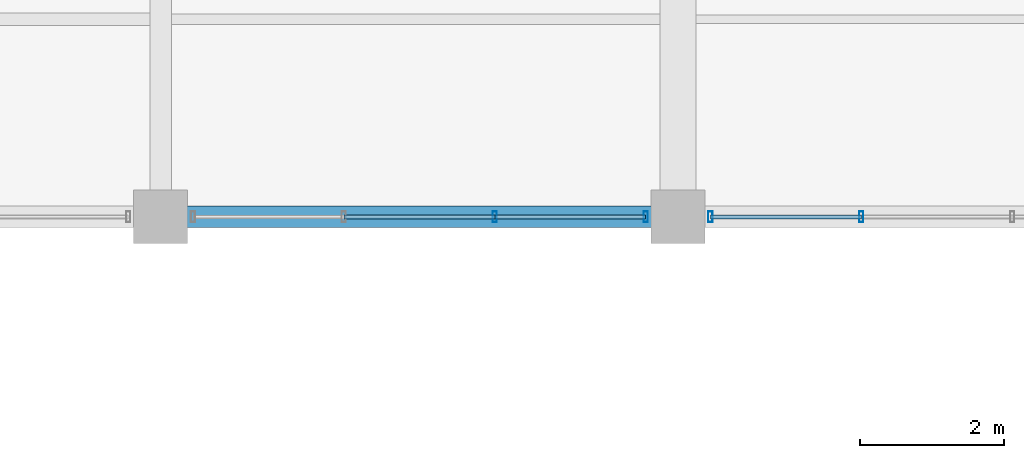
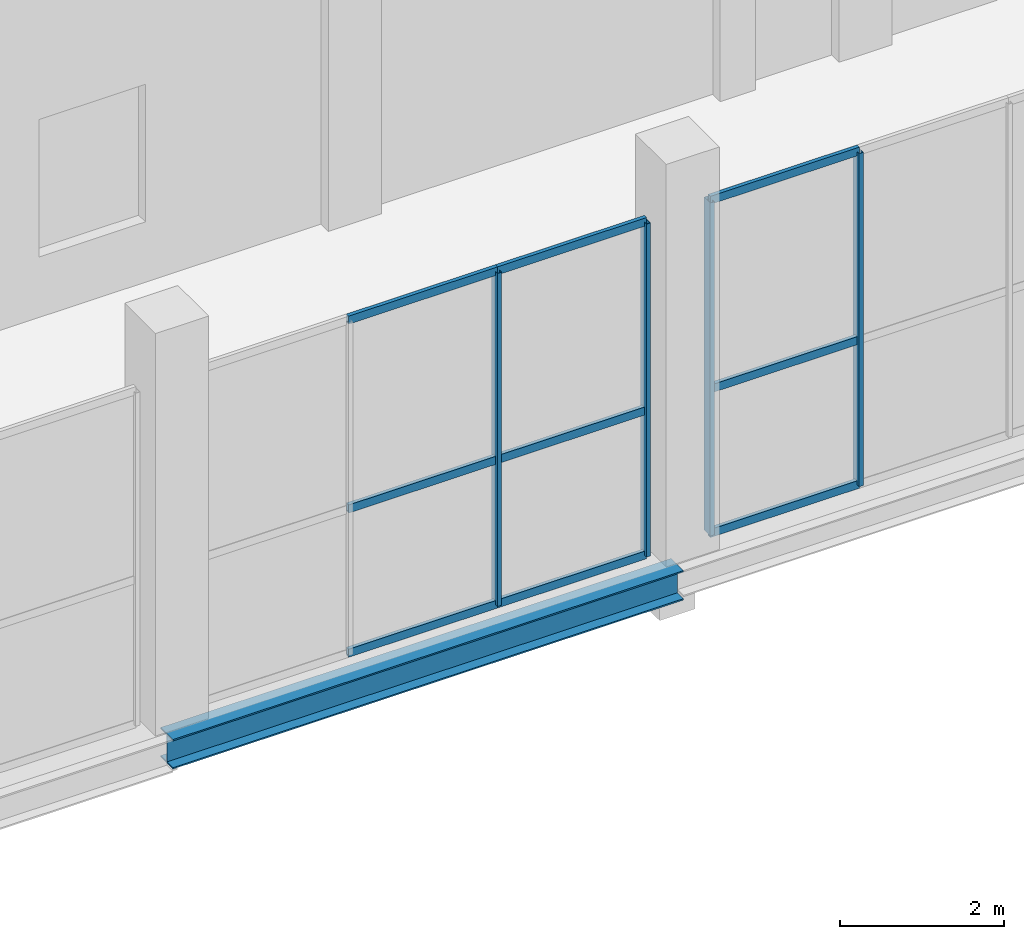
# One storey, part 109 of 144: 13 members, 1 beam, 2 elements without a shape of their own.
"""IFC4 building model written with IfcOpenShell, lengths in metres."""

from ifc_helpers import new_model, si_unit, direction, frame, origin, origin_2d, place, context, subcontext, project, spatial, hollow_rectangle, i_section, extrude, material, layer, layer_set, material_profile, profile_set, type_object, element, aggregate, save


model = new_model("IFC4")

# Units and contexts
model_context = context("Model", 3, precision=1e-05, world=origin(), true_north=direction((0.0, 1.0)))
body_context = subcontext(model_context, "Body", "Model", "MODEL_VIEW")
ifc_project = project(units=[si_unit("LENGTHUNIT", "METRE"), si_unit("AREAUNIT", "SQUARE_METRE"), si_unit("VOLUMEUNIT", "CUBIC_METRE"), si_unit("PLANEANGLEUNIT", "RADIAN"), si_unit("MASSUNIT", "GRAM", prefix="KILO")], contexts=[model_context])

# Site, building, storey
site_placement = place(None, origin())
site = spatial("IfcSite", under=ifc_project, at=site_placement, CompositionType="ELEMENT")
building_placement = place(site_placement, origin())
building = spatial("IfcBuilding", under=site, at=building_placement, Name="Sundgate Opera House", CompositionType="ELEMENT")
storey_placement = place(building_placement, origin())
storey = spatial("IfcBuildingStorey", under=building, at=storey_placement, Name="L00", CompositionType="ELEMENT", Elevation=0.0)

# Beam
ifc_material_1 = material(Name="Steel S355J2", Category="steel")
ifc_material_profile_1 = material_profile(ifc_material_1, i_section(OverallWidth=0.300048828125, OverallDepth=0.43994140625, WebThickness=0.011474609375, FlangeThickness=0.02099609375, at=origin_2d()), Name="HEA 450")
ifc_profile_set_1 = profile_set([ifc_material_profile_1], Name="Steel S355J2")
beam_type = type_object("IfcBeamType", Name="BM-GR-HEA450", PredefinedType="BEAM", material=ifc_profile_set_1)
beam_placement = place(storey_placement, frame((131.39990234375, 111.75, -0.5400390625), z_axis=(1.0, 0.0, 0.0), x_axis=(0.0, 1.0, 0.0)))
element("IfcBeam", 1, at=beam_placement, inside=storey, type_object=beam_type, Name="L00 Primary E-W Girder B0574", PredefinedType="BEAM", context=body_context, shape_type="SweptSolid", body=[
    extrude(i_section(OverallWidth=0.300048828125, OverallDepth=0.43994140625, WebThickness=0.011474609375, FlangeThickness=0.02099609375, at=origin_2d()), origin(), (0.0, 0.0, 1.0), 7.2001953125),
])

# Curtain wall, members
ifc_material_2 = material(Name="Anodized aluminium and low-iron glass", Category="aluminium")
ifc_layer = layer(ifc_material_2, 0.159912109375)
ifc_layer_set = layer_set([ifc_layer], Name="Anodized aluminium and low-iron glass")
curtain_wall_type = type_object("IfcCurtainWallType", Name="CW-STUDIO-DARK", PredefinedType="NOTDEFINED", material=ifc_layer_set)
curtain_wall_1_placement = place(storey_placement, origin())
curtain_wall_1 = element("IfcCurtainWall", 2, at=curtain_wall_1_placement, inside=storey, type_object=curtain_wall_type, Name="L00 Curtain Wall CW083", PredefinedType="NOTDEFINED")
ifc_material_3 = material(Name="Anodized aluminium EN AW-6063", Category="aluminium")
ifc_material_profile_2 = material_profile(ifc_material_3, hollow_rectangle(XDim=0.06005859375, YDim=0.14990234375, WallThickness=0.00390625, at=origin_2d()), Name="CWM 150x60x4")
ifc_profile_set_2 = profile_set([ifc_material_profile_2], Name="Anodized aluminium EN AW-6063")
member_type_1 = type_object("IfcMemberType", Name="CWM-ALU-150x60", PredefinedType="MULLION", material=ifc_profile_set_2)
member_1_placement = place(storey_placement, frame((138.14990234375, 111.75, 0.0), z_axis=(0.0, 0.0, 1.0), x_axis=(1.0, 0.0, 0.0)))
member_1 = element("IfcMember", 3, at=member_1_placement, type_object=member_type_1, Name="CW083 Mullion 1", PredefinedType="MULLION", context=body_context, shape_type="SweptSolid", body=[
    extrude(hollow_rectangle(XDim=0.06005859375, YDim=0.14990234375, WallThickness=0.00390625, at=origin_2d()), origin(), (0.0, 0.0, 1.0), 4.965087890625),
])
member_2_placement = place(storey_placement, frame((136.050048828125, 111.75, 0.0), z_axis=(0.0, 0.0, 1.0), x_axis=(1.0, 0.0, 0.0)))
member_2 = element("IfcMember", 4, at=member_2_placement, type_object=member_type_1, Name="CW083 Mullion 2", PredefinedType="MULLION", context=body_context, shape_type="SweptSolid", body=[
    extrude(hollow_rectangle(XDim=0.06005859375, YDim=0.14990234375, WallThickness=0.00390625, at=origin_2d()), origin(), (0.0, 0.0, 1.0), 4.965087890625),
])

curtain_wall_2_placement = place(storey_placement, origin())
curtain_wall_2 = element("IfcCurtainWall", 5, at=curtain_wall_2_placement, inside=storey, type_object=curtain_wall_type, Name="L00 Curtain Wall CW085", PredefinedType="NOTDEFINED")
member_3_placement = place(storey_placement, frame((141.14990234375, 111.75, 0.0), z_axis=(0.0, 0.0, 1.0), x_axis=(1.0, 0.0, 0.0)))
member_3 = element("IfcMember", 6, at=member_3_placement, type_object=member_type_1, Name="CW085 Mullion 3", PredefinedType="MULLION", context=body_context, shape_type="SweptSolid", body=[
    extrude(hollow_rectangle(XDim=0.06005859375, YDim=0.14990234375, WallThickness=0.00390625, at=origin_2d()), origin(), (0.0, 0.0, 1.0), 4.965087890625),
])
member_4_placement = place(storey_placement, frame((139.050048828125, 111.75, 0.0), z_axis=(0.0, 0.0, 1.0), x_axis=(1.0, 0.0, 0.0)))
member_4 = element("IfcMember", 7, at=member_4_placement, type_object=member_type_1, Name="CW085 Mullion 4", PredefinedType="MULLION", context=body_context, shape_type="SweptSolid", body=[
    extrude(hollow_rectangle(XDim=0.06005859375, YDim=0.14990234375, WallThickness=0.00390625, at=origin_2d()), origin(), (0.0, 0.0, 1.0), 4.965087890625),
])

# Member
ifc_material_4 = material(Name="Anodized aluminium EN AW-6063", Category="aluminium")
ifc_material_profile_3 = material_profile(ifc_material_4, hollow_rectangle(XDim=0.054931640625, YDim=0.1201171875, WallThickness=0.00390625, at=origin_2d()), Name="CWT 120x55x4")
ifc_profile_set_3 = profile_set([ifc_material_profile_3], Name="Anodized aluminium EN AW-6063")
member_type_2 = type_object("IfcMemberType", Name="CWT-ALU-120x55", PredefinedType="USERDEFINED", material=ifc_profile_set_3)
member_5_placement = place(storey_placement, frame((138.14990234375, 111.75, 0.0), z_axis=(-1.0, 0.0, 0.0), x_axis=(0.0, -1.0, 0.0)))
member_5 = element("IfcMember", 8, at=member_5_placement, type_object=member_type_2, Name="CW083 Transom 1", ObjectType="TRANSOM", PredefinedType="USERDEFINED", context=body_context, shape_type="SweptSolid", body=[
    extrude(hollow_rectangle(XDim=0.054931640625, YDim=0.1201171875, WallThickness=0.00390625, at=origin_2d()), origin(), (0.0, 0.0, 1.0), 2.099853515625),
])

member_6_placement = place(storey_placement, frame((138.14990234375, 111.75, 2.14990234375), z_axis=(-1.0, 0.0, 0.0), x_axis=(0.0, -1.0, 0.0)))
member_6 = element("IfcMember", 9, at=member_6_placement, type_object=member_type_2, Name="CW083 Transom 2", ObjectType="TRANSOM", PredefinedType="USERDEFINED", context=body_context, shape_type="SweptSolid", body=[
    extrude(hollow_rectangle(XDim=0.054931640625, YDim=0.1201171875, WallThickness=0.00390625, at=origin_2d()), origin(), (0.0, 0.0, 1.0), 2.099853515625),
])

member_7_placement = place(storey_placement, frame((138.14990234375, 111.75, 4.965087890625), z_axis=(-1.0, 0.0, 0.0), x_axis=(0.0, -1.0, 0.0)))
member_7 = element("IfcMember", 10, at=member_7_placement, type_object=member_type_2, Name="CW083 Transom 3", ObjectType="TRANSOM", PredefinedType="USERDEFINED", context=body_context, shape_type="SweptSolid", body=[
    extrude(hollow_rectangle(XDim=0.054931640625, YDim=0.1201171875, WallThickness=0.00390625, at=origin_2d()), origin(), (0.0, 0.0, 1.0), 2.099853515625),
])

member_8_placement = place(storey_placement, frame((136.050048828125, 111.75, 0.0), z_axis=(-1.0, 0.0, 0.0), x_axis=(0.0, -1.0, 0.0)))
member_8 = element("IfcMember", 11, at=member_8_placement, type_object=member_type_2, Name="CW083 Transom 4", ObjectType="TRANSOM", PredefinedType="USERDEFINED", context=body_context, shape_type="SweptSolid", body=[
    extrude(hollow_rectangle(XDim=0.054931640625, YDim=0.1201171875, WallThickness=0.00390625, at=origin_2d()), origin(), (0.0, 0.0, 1.0), 2.10009765625),
])

member_9_placement = place(storey_placement, frame((136.050048828125, 111.75, 2.14990234375), z_axis=(-1.0, 0.0, 0.0), x_axis=(0.0, -1.0, 0.0)))
member_9 = element("IfcMember", 12, at=member_9_placement, type_object=member_type_2, Name="CW083 Transom 5", ObjectType="TRANSOM", PredefinedType="USERDEFINED", context=body_context, shape_type="SweptSolid", body=[
    extrude(hollow_rectangle(XDim=0.054931640625, YDim=0.1201171875, WallThickness=0.00390625, at=origin_2d()), origin(), (0.0, 0.0, 1.0), 2.10009765625),
])

member_10_placement = place(storey_placement, frame((136.050048828125, 111.75, 4.965087890625), z_axis=(-1.0, 0.0, 0.0), x_axis=(0.0, -1.0, 0.0)))
member_10 = element("IfcMember", 13, at=member_10_placement, type_object=member_type_2, Name="CW083 Transom 6", ObjectType="TRANSOM", PredefinedType="USERDEFINED", context=body_context, shape_type="SweptSolid", body=[
    extrude(hollow_rectangle(XDim=0.054931640625, YDim=0.1201171875, WallThickness=0.00390625, at=origin_2d()), origin(), (0.0, 0.0, 1.0), 2.10009765625),
])

aggregate(curtain_wall_1, [member_1, member_2, member_5, member_6, member_7, member_8, member_9, member_10])

member_11_placement = place(storey_placement, frame((141.14990234375, 111.75, 0.0), z_axis=(-1.0, 0.0, 0.0), x_axis=(0.0, -1.0, 0.0)))
member_11 = element("IfcMember", 14, at=member_11_placement, type_object=member_type_2, Name="CW085 Transom 7", ObjectType="TRANSOM", PredefinedType="USERDEFINED", context=body_context, shape_type="SweptSolid", body=[
    extrude(hollow_rectangle(XDim=0.054931640625, YDim=0.1201171875, WallThickness=0.00390625, at=origin_2d()), origin(), (0.0, 0.0, 1.0), 2.099853515625),
])

member_12_placement = place(storey_placement, frame((141.14990234375, 111.75, 2.14990234375), z_axis=(-1.0, 0.0, 0.0), x_axis=(0.0, -1.0, 0.0)))
member_12 = element("IfcMember", 15, at=member_12_placement, type_object=member_type_2, Name="CW085 Transom 8", ObjectType="TRANSOM", PredefinedType="USERDEFINED", context=body_context, shape_type="SweptSolid", body=[
    extrude(hollow_rectangle(XDim=0.054931640625, YDim=0.1201171875, WallThickness=0.00390625, at=origin_2d()), origin(), (0.0, 0.0, 1.0), 2.099853515625),
])

member_13_placement = place(storey_placement, frame((141.14990234375, 111.75, 4.965087890625), z_axis=(-1.0, 0.0, 0.0), x_axis=(0.0, -1.0, 0.0)))
member_13 = element("IfcMember", 16, at=member_13_placement, type_object=member_type_2, Name="CW085 Transom 9", ObjectType="TRANSOM", PredefinedType="USERDEFINED", context=body_context, shape_type="SweptSolid", body=[
    extrude(hollow_rectangle(XDim=0.054931640625, YDim=0.1201171875, WallThickness=0.00390625, at=origin_2d()), origin(), (0.0, 0.0, 1.0), 2.099853515625),
])

aggregate(curtain_wall_2, [member_3, member_4, member_11, member_12, member_13])

save(model, "model.ifc")
